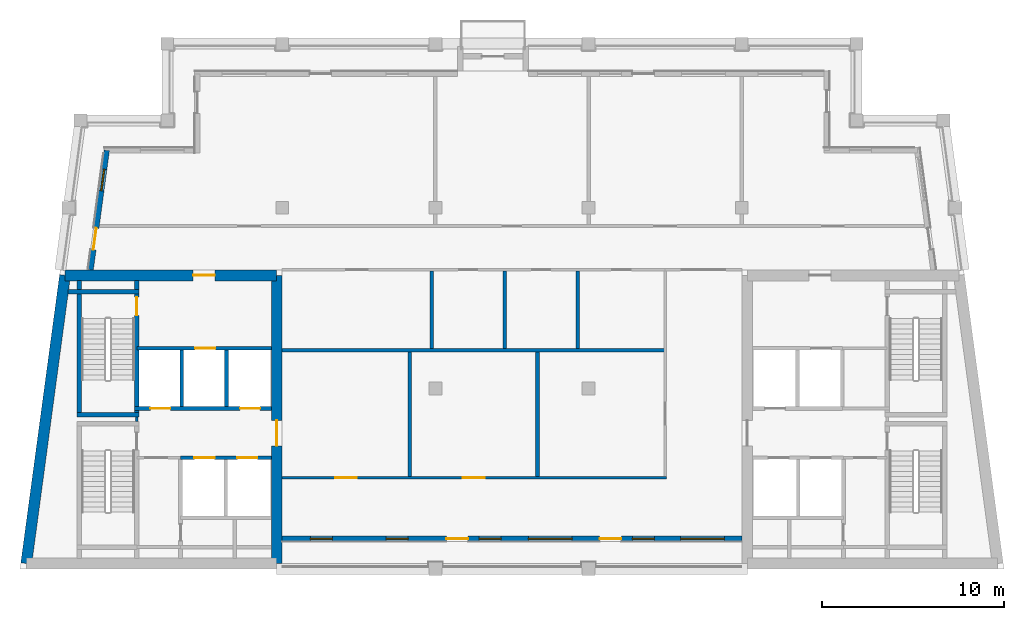
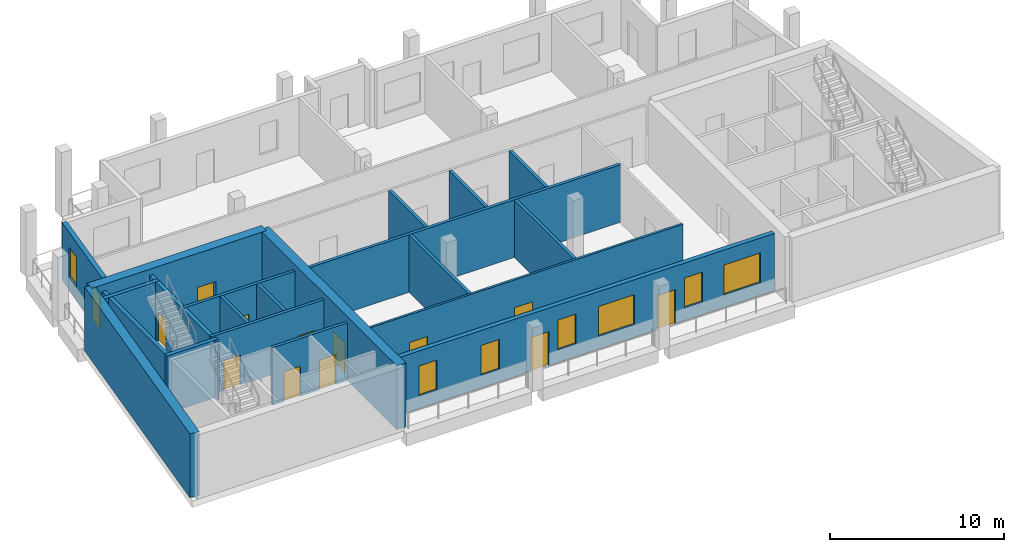
# One storey, part 2 of 8: 22 walls, 13 doors, 7 windows, 20 openings.
"""IFC4 building model written with IfcOpenShell, lengths in metres."""

from ifc_helpers import new_model, si_unit, direction, frame, frame_2d, origin, place, context, subcontext, project, spatial, rectangle, extrude, material, layer, layer_set, type_object, element, fill, save


model = new_model("IFC4")

# Units and contexts
model_context = context("Model", 3, precision=1e-05, world=origin(), true_north=direction((0.0, 1.0)))
body_context = subcontext(model_context, "Body", "Model", "MODEL_VIEW")
ifc_project = project(units=[si_unit("LENGTHUNIT", "METRE"), si_unit("AREAUNIT", "SQUARE_METRE"), si_unit("VOLUMEUNIT", "CUBIC_METRE"), si_unit("PLANEANGLEUNIT", "RADIAN"), si_unit("MASSUNIT", "GRAM", prefix="KILO")], contexts=[model_context])

# Site, building, storey
site_placement = place(None, origin())
site = spatial("IfcSite", under=ifc_project, at=site_placement, CompositionType="ELEMENT")
building_placement = place(site_placement, origin())
building = spatial("IfcBuilding", under=site, at=building_placement, Name="Candeia Pilgrim Tower and Theatre", CompositionType="ELEMENT")
storey_placement = place(building_placement, frame((0.0, 0.0, 315.39990234375)))
storey = spatial("IfcBuildingStorey", under=building, at=storey_placement, Name="L76", CompositionType="ELEMENT", Elevation=315.39990234375)

# Wall, opening, door
ifc_material_1 = material(Name="Concrete C40/50", Category="concrete")
ifc_layer_1 = layer(ifc_material_1, 0.60009765625)
ifc_layer_set_1 = layer_set([ifc_layer_1], Name="Core wall 600 C40/50")
wall_type_1 = type_object("IfcWallType", Name="Core wall 600 C40/50", PredefinedType="SHEAR", material=ifc_layer_set_1)
wall_1_placement = place(storey_placement, frame((88.89306640625, 132.10009765625, 0.0), z_axis=(0.0, 0.0, 1.0), x_axis=(1.0, 0.0, 0.0)))
wall_1 = element("IfcWall", 1, at=wall_1_placement, inside=storey, type_object=wall_type_1, Name="Core wall W1", PredefinedType="SHEAR", context=body_context, shape_type="SweptSolid", body=[
    extrude(rectangle(XDim=11.60693359375, YDim=0.60009765625, at=frame_2d((5.803466796875, 0.0))), origin(), (0.0, 0.0, 1.0), 4.5),
])
opening_1_placement = place(wall_1_placement, frame((7.0205078125, 0.0, 0.0)))
opening_1 = element("IfcOpeningElement", 2, at=opening_1_placement, cuts=wall_1, Name="Opening L76-D021", PredefinedType="OPENING", context=body_context, shape_type="SweptSolid", body=[
    extrude(rectangle(XDim=1.199951171875, YDim=2.10009765625, at=frame_2d((0.60009765625, 1.050048828125))), frame((0.0, 0.31005859375, 0.0), z_axis=(0.0, -1.0, 0.0), x_axis=(1.0, 0.0, 0.0)), (0.0, 0.0, 1.0), 0.6201171875),
])
ifc_material_2 = material(Name="Steel fire door set", Category="steel")
door_type_1 = type_object("IfcDoorType", Name="D-1200-FD60", OperationType="NOTDEFINED", PredefinedType="DOOR", material=ifc_material_2)
door_1_placement = place(opening_1_placement, origin())
door_1 = element("IfcDoor", 3, at=door_1_placement, inside=storey, type_object=door_type_1, Name="Door L76-D021", OperationType="SINGLE_SWING_RIGHT", OverallHeight=2.10009765625, OverallWidth=1.199951171875, PredefinedType="DOOR", context=body_context, shape_type="SweptSolid", body=[
    extrude(rectangle(XDim=1.199951171875, YDim=2.10009765625, at=frame_2d((0.60009765625, 1.050048828125))), frame((0.0, 0.02490234375, 0.0), z_axis=(0.0, -1.0, 0.0), x_axis=(1.0, 0.0, 0.0)), (0.0, 0.0, 1.0), 0.050048828125),
])
fill(opening_1, door_1)

wall_2_placement = place(storey_placement, frame((100.5, 132.10009765625, 0.0), z_axis=(0.0, 0.0, 1.0), x_axis=(0.0, -1.0, 0.0)))
wall_2 = element("IfcWall", 4, at=wall_2_placement, inside=storey, type_object=wall_type_1, Name="Core wall W2", PredefinedType="SHEAR", context=body_context, shape_type="SweptSolid", body=[
    extrude(rectangle(XDim=15.800048828125, YDim=0.60009765625, at=frame_2d((7.89990234375, 0.0))), origin(), (0.0, 0.0, 1.0), 4.5),
])
opening_2_placement = place(wall_2_placement, frame((7.949951171875, 0.0, 0.0)))
opening_2 = element("IfcOpeningElement", 5, at=opening_2_placement, cuts=wall_2, Name="Opening L76-D022", PredefinedType="OPENING", context=body_context, shape_type="SweptSolid", body=[
    extrude(rectangle(XDim=1.39990234375, YDim=2.10009765625, at=frame_2d((0.699951171875, 1.050048828125))), frame((0.0, 0.31005859375, 0.0), z_axis=(0.0, -1.0, 0.0), x_axis=(1.0, 0.0, 0.0)), (0.0, 0.0, 1.0), 0.6201171875),
])
door_type_2 = type_object("IfcDoorType", Name="D-1400-FD60", OperationType="NOTDEFINED", PredefinedType="DOOR", material=ifc_material_2)
door_2_placement = place(opening_2_placement, origin())
door_2 = element("IfcDoor", 6, at=door_2_placement, inside=storey, type_object=door_type_2, Name="Door L76-D022", OperationType="SINGLE_SWING_LEFT", OverallHeight=2.10009765625, OverallWidth=1.39990234375, PredefinedType="DOOR", context=body_context, shape_type="SweptSolid", body=[
    extrude(rectangle(XDim=1.39990234375, YDim=2.10009765625, at=frame_2d((0.699951171875, 1.050048828125))), frame((0.0, 0.02490234375, 0.0), z_axis=(0.0, -1.0, 0.0), x_axis=(1.0, 0.0, 0.0)), (0.0, 0.0, 1.0), 0.050048828125),
])
fill(opening_2, door_2)

# Wall
wall_3_placement = place(storey_placement, frame((86.76611328125, 116.300048828125, 0.0), z_axis=(0.0, 0.0, 1.0), x_axis=(0.13341345841, 0.991060466932, 0.0)))
element("IfcWall", 7, at=wall_3_placement, inside=storey, type_object=wall_type_1, Name="Core wall W4", PredefinedType="SHEAR", context=body_context, shape_type="SweptSolid", body=[
    extrude(rectangle(XDim=15.942626953125, YDim=0.60009765625, at=frame_2d((7.97119140625, 0.0))), origin(), (0.0, 0.0, 1.0), 4.5),
])

# Wall, openings, door, window
ifc_material_3 = material(Name="Ceramic block masonry", Category="masonry")
ifc_layer_2 = layer(ifc_material_3, 0.300048828125)
ifc_layer_set_2 = layer_set([ifc_layer_2], Name="EW1 glazing-line wall 300")
wall_type_2 = type_object("IfcWallType", Name="EW1 glazing-line wall 300", PredefinedType="SOLIDWALL", material=ifc_layer_set_2)
wall_4_placement = place(storey_placement, frame((91.177490234375, 138.949951171875, 0.0), z_axis=(0.0, 0.0, 1.0), x_axis=(-0.133426664613, -0.991058689065, 0.0)))
wall_4 = element("IfcWall", 8, at=wall_4_placement, inside=storey, type_object=wall_type_2, Name="External wall L76-0.0", PredefinedType="SOLIDWALL", context=body_context, shape_type="SweptSolid", body=[
    extrude(rectangle(XDim=6.609130859375, YDim=0.300048828125, at=frame_2d((3.3046875, 0.0))), origin(), (0.0, 0.0, 1.0), 4.050048828125),
])
opening_3_placement = place(wall_4_placement, frame((1.039306640625, 0.0, 0.89990234375)))
opening_3 = element("IfcOpeningElement", 9, at=opening_3_placement, cuts=wall_4, Name="Opening W-B", PredefinedType="OPENING", context=body_context, shape_type="SweptSolid", body=[
    extrude(rectangle(XDim=1.199951171875, YDim=2.10009765625, at=frame_2d((0.60009765625, 1.050048828125))), frame((0.0, 0.16015625, 0.0), z_axis=(0.0, -1.0, 0.0), x_axis=(1.0, 0.0, 0.0)), (0.0, 0.0, 1.0), 0.320068359375),
])
opening_4_placement = place(wall_4_placement, frame((4.293701171875, 0.0, 0.0)))
opening_4 = element("IfcOpeningElement", 10, at=opening_4_placement, cuts=wall_4, Name="Opening L76-ED693", PredefinedType="OPENING", context=body_context, shape_type="SweptSolid", body=[
    extrude(rectangle(XDim=1.199951171875, YDim=2.39990234375, at=frame_2d((0.60009765625, 1.199951171875))), frame((0.0, 0.16015625, 0.0), z_axis=(0.0, -1.0, 0.0), x_axis=(1.0, 0.0, 0.0)), (0.0, 0.0, 1.0), 0.320068359375),
])
ifc_material_4 = material(Name="Aluminium framed glazed door", Category="aluminium")
door_type_3 = type_object("IfcDoorType", Name="Loggia door 1200x2400", OperationType="DOUBLE_DOOR_SINGLE_SWING", PredefinedType="DOOR", material=ifc_material_4)
door_3_placement = place(opening_4_placement, origin())
door_3 = element("IfcDoor", 11, at=door_3_placement, inside=storey, type_object=door_type_3, Name="Loggia door L76-ED693", OperationType="DOUBLE_DOOR_SINGLE_SWING", OverallHeight=2.39990234375, OverallWidth=1.199951171875, PredefinedType="DOOR", context=body_context, shape_type="SweptSolid", body=[
    extrude(rectangle(XDim=1.199951171875, YDim=2.39990234375, at=frame_2d((0.60009765625, 1.199951171875))), frame((0.0, 0.02490234375, 0.0), z_axis=(0.0, -1.0, 0.0), x_axis=(1.0, 0.0, 0.0)), (0.0, 0.0, 1.0), 0.050048828125),
])
fill(opening_4, door_3)
ifc_material_5 = material(Name="Aluminium framed double glazing", Category="aluminium")
window_type_1 = type_object("IfcWindowType", Name="W-B window 1200x2100", PartitioningType="SINGLE_PANEL", PredefinedType="WINDOW", material=ifc_material_5)
window_1_placement = place(opening_3_placement, origin())
window_1 = element("IfcWindow", 12, at=window_1_placement, inside=storey, type_object=window_type_1, Name="Window W-B L76", OverallHeight=2.10009765625, OverallWidth=1.199951171875, PartitioningType="SINGLE_PANEL", PredefinedType="WINDOW", context=body_context, shape_type="SweptSolid", body=[
    extrude(rectangle(XDim=1.199951171875, YDim=2.10009765625, at=frame_2d((0.60009765625, 1.050048828125))), frame((0.0, 0.030029296875, 0.0), z_axis=(0.0, -1.0, 0.0), x_axis=(1.0, 0.0, 0.0)), (0.0, 0.0, 1.0), 0.06005859375),
])
fill(opening_3, window_1)

# Wall, openings, doors, windows
wall_5_placement = place(storey_placement, frame((100.800048828125, 117.64990234375, 0.0), z_axis=(0.0, 0.0, 1.0), x_axis=(1.0, 0.0, 0.0)))
wall_5 = element("IfcWall", 13, at=wall_5_placement, inside=storey, type_object=wall_type_2, Name="External wall L76-1.0", PredefinedType="SOLIDWALL", context=body_context, shape_type="SweptSolid", body=[
    extrude(rectangle(XDim=25.199951171875, YDim=0.300048828125, at=frame_2d((12.60009765625, 0.0))), origin(), (0.0, 0.0, 1.0), 4.050048828125),
])
opening_5_placement = place(wall_5_placement, frame((1.550048828125, 0.0, 0.89990234375)))
opening_5 = element("IfcOpeningElement", 14, at=opening_5_placement, cuts=wall_5, Name="Opening W-B", PredefinedType="OPENING", context=body_context, shape_type="SweptSolid", body=[
    extrude(rectangle(XDim=1.199951171875, YDim=2.10009765625, at=frame_2d((0.60009765625, 1.050048828125))), frame((0.0, 0.16015625, 0.0), z_axis=(0.0, -1.0, 0.0), x_axis=(1.0, 0.0, 0.0)), (0.0, 0.0, 1.0), 0.320068359375),
])
opening_6_placement = place(wall_5_placement, frame((5.699951171875, 0.0, 0.89990234375)))
opening_6 = element("IfcOpeningElement", 15, at=opening_6_placement, cuts=wall_5, Name="Opening W-B", PredefinedType="OPENING", context=body_context, shape_type="SweptSolid", body=[
    extrude(rectangle(XDim=1.199951171875, YDim=2.10009765625, at=frame_2d((0.60009765625, 1.050048828125))), frame((0.0, 0.16015625, 0.0), z_axis=(0.0, -1.0, 0.0), x_axis=(1.0, 0.0, 0.0)), (0.0, 0.0, 1.0), 0.320068359375),
])
opening_7_placement = place(wall_5_placement, frame((9.0, 0.0, 0.0)))
opening_7 = element("IfcOpeningElement", 16, at=opening_7_placement, cuts=wall_5, Name="Opening L76-ED694", PredefinedType="OPENING", context=body_context, shape_type="SweptSolid", body=[
    extrude(rectangle(XDim=1.199951171875, YDim=2.39990234375, at=frame_2d((0.60009765625, 1.199951171875))), frame((0.0, 0.16015625, 0.0), z_axis=(0.0, -1.0, 0.0), x_axis=(1.0, 0.0, 0.0)), (0.0, 0.0, 1.0), 0.320068359375),
])
opening_8_placement = place(wall_5_placement, frame((10.800048828125, 0.0, 0.89990234375)))
opening_8 = element("IfcOpeningElement", 17, at=opening_8_placement, cuts=wall_5, Name="Opening W-B", PredefinedType="OPENING", context=body_context, shape_type="SweptSolid", body=[
    extrude(rectangle(XDim=1.199951171875, YDim=2.10009765625, at=frame_2d((0.60009765625, 1.050048828125))), frame((0.0, 0.16015625, 0.0), z_axis=(0.0, -1.0, 0.0), x_axis=(1.0, 0.0, 0.0)), (0.0, 0.0, 1.0), 0.320068359375),
])
opening_9_placement = place(wall_5_placement, frame((13.5, 0.0, 0.89990234375)))
opening_9 = element("IfcOpeningElement", 18, at=opening_9_placement, cuts=wall_5, Name="Opening W-A", PredefinedType="OPENING", context=body_context, shape_type="SweptSolid", body=[
    extrude(rectangle(XDim=2.39990234375, YDim=2.10009765625, at=frame_2d((1.199951171875, 1.050048828125))), frame((0.0, 0.16015625, 0.0), z_axis=(0.0, -1.0, 0.0), x_axis=(1.0, 0.0, 0.0)), (0.0, 0.0, 1.0), 0.320068359375),
])
opening_10_placement = place(wall_5_placement, frame((17.39990234375, 0.0, 0.0)))
opening_10 = element("IfcOpeningElement", 19, at=opening_10_placement, cuts=wall_5, Name="Opening L76-ED695", PredefinedType="OPENING", context=body_context, shape_type="SweptSolid", body=[
    extrude(rectangle(XDim=1.199951171875, YDim=2.39990234375, at=frame_2d((0.60009765625, 1.199951171875))), frame((0.0, 0.16015625, 0.0), z_axis=(0.0, -1.0, 0.0), x_axis=(1.0, 0.0, 0.0)), (0.0, 0.0, 1.0), 0.320068359375),
])
opening_11_placement = place(wall_5_placement, frame((19.199951171875, 0.0, 0.89990234375)))
opening_11 = element("IfcOpeningElement", 20, at=opening_11_placement, cuts=wall_5, Name="Opening W-B", PredefinedType="OPENING", context=body_context, shape_type="SweptSolid", body=[
    extrude(rectangle(XDim=1.199951171875, YDim=2.10009765625, at=frame_2d((0.60009765625, 1.050048828125))), frame((0.0, 0.16015625, 0.0), z_axis=(0.0, -1.0, 0.0), x_axis=(1.0, 0.0, 0.0)), (0.0, 0.0, 1.0), 0.320068359375),
])
opening_12_placement = place(wall_5_placement, frame((21.85009765625, 0.0, 0.89990234375)))
opening_12 = element("IfcOpeningElement", 21, at=opening_12_placement, cuts=wall_5, Name="Opening W-A", PredefinedType="OPENING", context=body_context, shape_type="SweptSolid", body=[
    extrude(rectangle(XDim=2.39990234375, YDim=2.10009765625, at=frame_2d((1.199951171875, 1.050048828125))), frame((0.0, 0.16015625, 0.0), z_axis=(0.0, -1.0, 0.0), x_axis=(1.0, 0.0, 0.0)), (0.0, 0.0, 1.0), 0.320068359375),
])
door_4_placement = place(opening_7_placement, origin())
door_4 = element("IfcDoor", 22, at=door_4_placement, inside=storey, type_object=door_type_3, Name="Loggia door L76-ED694", OperationType="DOUBLE_DOOR_SINGLE_SWING", OverallHeight=2.39990234375, OverallWidth=1.199951171875, PredefinedType="DOOR", context=body_context, shape_type="SweptSolid", body=[
    extrude(rectangle(XDim=1.199951171875, YDim=2.39990234375, at=frame_2d((0.60009765625, 1.199951171875))), frame((0.0, 0.02490234375, 0.0), z_axis=(0.0, -1.0, 0.0), x_axis=(1.0, 0.0, 0.0)), (0.0, 0.0, 1.0), 0.050048828125),
])
fill(opening_7, door_4)
door_5_placement = place(opening_10_placement, origin())
door_5 = element("IfcDoor", 23, at=door_5_placement, inside=storey, type_object=door_type_3, Name="Loggia door L76-ED695", OperationType="DOUBLE_DOOR_SINGLE_SWING", OverallHeight=2.39990234375, OverallWidth=1.199951171875, PredefinedType="DOOR", context=body_context, shape_type="SweptSolid", body=[
    extrude(rectangle(XDim=1.199951171875, YDim=2.39990234375, at=frame_2d((0.60009765625, 1.199951171875))), frame((0.0, 0.02490234375, 0.0), z_axis=(0.0, -1.0, 0.0), x_axis=(1.0, 0.0, 0.0)), (0.0, 0.0, 1.0), 0.050048828125),
])
fill(opening_10, door_5)
window_type_2 = type_object("IfcWindowType", Name="W-A window 2400x2100", PartitioningType="DOUBLE_PANEL_VERTICAL", PredefinedType="WINDOW", material=ifc_material_5)
window_2_placement = place(opening_9_placement, origin())
window_2 = element("IfcWindow", 24, at=window_2_placement, inside=storey, type_object=window_type_2, Name="Window W-A L76", OverallHeight=2.10009765625, OverallWidth=2.39990234375, PartitioningType="SINGLE_PANEL", PredefinedType="WINDOW", context=body_context, shape_type="SweptSolid", body=[
    extrude(rectangle(XDim=2.39990234375, YDim=2.10009765625, at=frame_2d((1.199951171875, 1.050048828125))), frame((0.0, 0.030029296875, 0.0), z_axis=(0.0, -1.0, 0.0), x_axis=(1.0, 0.0, 0.0)), (0.0, 0.0, 1.0), 0.06005859375),
])
fill(opening_9, window_2)
window_3_placement = place(opening_12_placement, origin())
window_3 = element("IfcWindow", 25, at=window_3_placement, inside=storey, type_object=window_type_2, Name="Window W-A L76", OverallHeight=2.10009765625, OverallWidth=2.39990234375, PartitioningType="SINGLE_PANEL", PredefinedType="WINDOW", context=body_context, shape_type="SweptSolid", body=[
    extrude(rectangle(XDim=2.39990234375, YDim=2.10009765625, at=frame_2d((1.199951171875, 1.050048828125))), frame((0.0, 0.030029296875, 0.0), z_axis=(0.0, -1.0, 0.0), x_axis=(1.0, 0.0, 0.0)), (0.0, 0.0, 1.0), 0.06005859375),
])
fill(opening_12, window_3)
window_4_placement = place(opening_5_placement, origin())
window_4 = element("IfcWindow", 26, at=window_4_placement, inside=storey, type_object=window_type_1, Name="Window W-B L76", OverallHeight=2.10009765625, OverallWidth=1.199951171875, PartitioningType="SINGLE_PANEL", PredefinedType="WINDOW", context=body_context, shape_type="SweptSolid", body=[
    extrude(rectangle(XDim=1.199951171875, YDim=2.10009765625, at=frame_2d((0.60009765625, 1.050048828125))), frame((0.0, 0.030029296875, 0.0), z_axis=(0.0, -1.0, 0.0), x_axis=(1.0, 0.0, 0.0)), (0.0, 0.0, 1.0), 0.06005859375),
])
fill(opening_5, window_4)
window_5_placement = place(opening_6_placement, origin())
window_5 = element("IfcWindow", 27, at=window_5_placement, inside=storey, type_object=window_type_1, Name="Window W-B L76", OverallHeight=2.10009765625, OverallWidth=1.199951171875, PartitioningType="SINGLE_PANEL", PredefinedType="WINDOW", context=body_context, shape_type="SweptSolid", body=[
    extrude(rectangle(XDim=1.199951171875, YDim=2.10009765625, at=frame_2d((0.60009765625, 1.050048828125))), frame((0.0, 0.030029296875, 0.0), z_axis=(0.0, -1.0, 0.0), x_axis=(1.0, 0.0, 0.0)), (0.0, 0.0, 1.0), 0.06005859375),
])
fill(opening_6, window_5)
window_6_placement = place(opening_8_placement, origin())
window_6 = element("IfcWindow", 28, at=window_6_placement, inside=storey, type_object=window_type_1, Name="Window W-B L76", OverallHeight=2.10009765625, OverallWidth=1.199951171875, PartitioningType="SINGLE_PANEL", PredefinedType="WINDOW", context=body_context, shape_type="SweptSolid", body=[
    extrude(rectangle(XDim=1.199951171875, YDim=2.10009765625, at=frame_2d((0.60009765625, 1.050048828125))), frame((0.0, 0.030029296875, 0.0), z_axis=(0.0, -1.0, 0.0), x_axis=(1.0, 0.0, 0.0)), (0.0, 0.0, 1.0), 0.06005859375),
])
fill(opening_8, window_6)
window_7_placement = place(opening_11_placement, origin())
window_7 = element("IfcWindow", 29, at=window_7_placement, inside=storey, type_object=window_type_1, Name="Window W-B L76", OverallHeight=2.10009765625, OverallWidth=1.199951171875, PartitioningType="SINGLE_PANEL", PredefinedType="WINDOW", context=body_context, shape_type="SweptSolid", body=[
    extrude(rectangle(XDim=1.199951171875, YDim=2.10009765625, at=frame_2d((0.60009765625, 1.050048828125))), frame((0.0, 0.030029296875, 0.0), z_axis=(0.0, -1.0, 0.0), x_axis=(1.0, 0.0, 0.0)), (0.0, 0.0, 1.0), 0.06005859375),
])
fill(opening_11, window_7)

# Wall, openings, doors
ifc_material_6 = material(Name="Gypsum board partition on steel studs", Category="steel")
ifc_layer_3 = layer(ifc_material_6, 0.14990234375)
ifc_layer_set_3 = layer_set([ifc_layer_3], Name="PW-150 lobby wall")
wall_type_3 = type_object("IfcWallType", Name="PW-150 lobby wall", PredefinedType="PARTITIONING", material=ifc_layer_set_3)
wall_6_placement = place(storey_placement, frame((100.800048828125, 121.0, 0.0), z_axis=(0.0, 0.0, 1.0), x_axis=(1.0, 0.0, 0.0)))
wall_6 = element("IfcWall", 30, at=wall_6_placement, inside=storey, type_object=wall_type_3, Name="Lobby wall L76-009", PredefinedType="PARTITIONING", context=body_context, shape_type="SweptSolid", body=[
    extrude(rectangle(XDim=21.074951171875, YDim=0.14990234375, at=frame_2d((10.53759765625, 0.0))), origin(), (0.0, 0.0, 1.0), 4.050048828125),
])
opening_13_placement = place(wall_6_placement, frame((2.89990234375, 0.0, 0.0)))
opening_13 = element("IfcOpeningElement", 31, at=opening_13_placement, cuts=wall_6, Name="Opening L76-D002", PredefinedType="OPENING", context=body_context, shape_type="SweptSolid", body=[
    extrude(rectangle(XDim=1.199951171875, YDim=2.10009765625, at=frame_2d((0.60009765625, 1.050048828125))), frame((0.0, 0.0849609375, 0.0), z_axis=(0.0, -1.0, 0.0), x_axis=(1.0, 0.0, 0.0)), (0.0, 0.0, 1.0), 0.169921875),
])
opening_14_placement = place(wall_6_placement, frame((9.89990234375, 0.0, 0.0)))
opening_14 = element("IfcOpeningElement", 32, at=opening_14_placement, cuts=wall_6, Name="Opening L76-D003", PredefinedType="OPENING", context=body_context, shape_type="SweptSolid", body=[
    extrude(rectangle(XDim=1.199951171875, YDim=2.10009765625, at=frame_2d((0.60009765625, 1.050048828125))), frame((0.0, 0.0849609375, 0.0), z_axis=(0.0, -1.0, 0.0), x_axis=(1.0, 0.0, 0.0)), (0.0, 0.0, 1.0), 0.169921875),
])
door_6_placement = place(opening_13_placement, origin())
door_6 = element("IfcDoor", 33, at=door_6_placement, inside=storey, type_object=door_type_1, Name="Door L76-D002", OperationType="SINGLE_SWING_RIGHT", OverallHeight=2.10009765625, OverallWidth=1.199951171875, PredefinedType="DOOR", context=body_context, shape_type="SweptSolid", body=[
    extrude(rectangle(XDim=1.199951171875, YDim=2.10009765625, at=frame_2d((0.60009765625, 1.050048828125))), frame((0.0, 0.02490234375, 0.0), z_axis=(0.0, -1.0, 0.0), x_axis=(1.0, 0.0, 0.0)), (0.0, 0.0, 1.0), 0.050048828125),
])
fill(opening_13, door_6)
door_7_placement = place(opening_14_placement, origin())
door_7 = element("IfcDoor", 34, at=door_7_placement, inside=storey, type_object=door_type_1, Name="Door L76-D003", OperationType="SINGLE_SWING_LEFT", OverallHeight=2.10009765625, OverallWidth=1.199951171875, PredefinedType="DOOR", context=body_context, shape_type="SweptSolid", body=[
    extrude(rectangle(XDim=1.199951171875, YDim=2.10009765625, at=frame_2d((0.60009765625, 1.050048828125))), frame((0.0, 0.02490234375, 0.0), z_axis=(0.0, -1.0, 0.0), x_axis=(1.0, 0.0, 0.0)), (0.0, 0.0, 1.0), 0.050048828125),
])
fill(opening_14, door_7)

# Walls
wall_7_placement = place(storey_placement, frame((92.826904296875, 124.074951171875, 0.0), z_axis=(0.0, 0.0, 1.0), x_axis=(0.0, 1.0, 0.0)))
element("IfcWall", 35, at=wall_7_placement, inside=storey, type_object=wall_type_3, Name="Lobby wall L76-032", PredefinedType="PARTITIONING", context=body_context, shape_type="SweptSolid", body=[
    extrude(rectangle(XDim=0.25, YDim=0.14990234375, at=frame_2d((0.125, 0.0))), origin(), (0.0, 0.0, 1.0), 4.050048828125),
])
ifc_layer_4 = layer(ifc_material_6, 0.199951171875)
ifc_layer_set_4 = layer_set([ifc_layer_4], Name="PW-200 party wall")
wall_type_4 = type_object("IfcWallType", Name="PW-200 party wall", PredefinedType="PARTITIONING", material=ifc_layer_set_4)
wall_8_placement = place(storey_placement, frame((100.800048828125, 128.0, 0.0), z_axis=(0.0, 0.0, 1.0), x_axis=(1.0, 0.0, 0.0)))
element("IfcWall", 36, at=wall_8_placement, inside=storey, type_object=wall_type_4, Name="Party wall L76-021", PredefinedType="PARTITIONING", context=body_context, shape_type="SweptSolid", body=[
    extrude(rectangle(XDim=21.0, YDim=0.199951171875, at=frame_2d((10.5, 0.0))), origin(), (0.0, 0.0, 1.0), 4.050048828125),
])
wall_9_placement = place(storey_placement, frame((107.800048828125, 121.074951171875, 0.0), z_axis=(0.0, 0.0, 1.0), x_axis=(0.0, 1.0, 0.0)))
element("IfcWall", 37, at=wall_9_placement, inside=storey, type_object=wall_type_4, Name="Party wall L76-040", PredefinedType="PARTITIONING", context=body_context, shape_type="SweptSolid", body=[
    extrude(rectangle(XDim=6.824951171875, YDim=0.199951171875, at=frame_2d((3.41259765625, 0.0))), origin(), (0.0, 0.0, 1.0), 4.050048828125),
])
for number, where, z_axis, x_axis, name in (
    (38, (109.0, 128.10009765625, 0.0), (0.0, 0.0, 1.0), (0.0, 1.0, 0.0), "Party wall L76-041"),
    (39, (113.0, 128.10009765625, 0.0), (0.0, 0.0, 1.0), (0.0, 1.0, 0.0), "Party wall L76-043"),
):
    element("IfcWall", number, at=place(storey_placement, frame(where, z_axis=z_axis, x_axis=x_axis)), inside=storey, type_object=wall_type_4, Name=name, PredefinedType="PARTITIONING", context=body_context, shape_type="SweptSolid", body=[
        extrude(rectangle(XDim=4.224853515625, YDim=0.199951171875, at=frame_2d((2.1123046875, 0.0))), origin(), (0.0, 0.0, 1.0), 4.050048828125),
    ])
wall_10_placement = place(storey_placement, frame((114.800048828125, 121.074951171875, 0.0), z_axis=(0.0, 0.0, 1.0), x_axis=(0.0, 1.0, 0.0)))
element("IfcWall", 40, at=wall_10_placement, inside=storey, type_object=wall_type_4, Name="Party wall L76-044", PredefinedType="PARTITIONING", context=body_context, shape_type="SweptSolid", body=[
    extrude(rectangle(XDim=6.824951171875, YDim=0.199951171875, at=frame_2d((3.41259765625, 0.0))), origin(), (0.0, 0.0, 1.0), 4.050048828125),
])
wall_11_placement = place(storey_placement, frame((117.0, 128.10009765625, 0.0), z_axis=(0.0, 0.0, 1.0), x_axis=(0.0, 1.0, 0.0)))
element("IfcWall", 41, at=wall_11_placement, inside=storey, type_object=wall_type_4, Name="Party wall L76-045", PredefinedType="PARTITIONING", context=body_context, shape_type="SweptSolid", body=[
    extrude(rectangle(XDim=4.224853515625, YDim=0.199951171875, at=frame_2d((2.1123046875, 0.0))), origin(), (0.0, 0.0, 1.0), 4.050048828125),
])

# Wall, openings, doors
ifc_layer_5 = layer(ifc_material_1, 0.199951171875)
ifc_layer_set_5 = layer_set([ifc_layer_5], Name="SW-200 shaft wall")
wall_type_5 = type_object("IfcWallType", Name="SW-200 shaft wall", PredefinedType="PARTITIONING", material=ifc_layer_set_5)
wall_12_placement = place(storey_placement, frame((95.22705078125, 122.10009765625, 0.0), z_axis=(0.0, 0.0, 1.0), x_axis=(1.0, 0.0, 0.0)))
wall_12 = element("IfcWall", 42, at=wall_12_placement, inside=storey, type_object=wall_type_5, Name="Shaft wall L76-010", PredefinedType="PARTITIONING", context=body_context, shape_type="SweptSolid", body=[
    extrude(rectangle(XDim=4.972900390625, YDim=0.199951171875, at=frame_2d((2.486328125, 0.0))), origin(), (0.0, 0.0, 1.0), 4.050048828125),
])
opening_15_placement = place(wall_12_placement, frame((0.761962890625, 0.0, 0.0)))
opening_15 = element("IfcOpeningElement", 43, at=opening_15_placement, cuts=wall_12, Name="Opening L76-LD01", PredefinedType="OPENING", context=body_context, shape_type="SweptSolid", body=[
    extrude(rectangle(XDim=1.10009765625, YDim=2.10009765625, at=frame_2d((0.550048828125, 1.050048828125))), frame((0.0, 0.10986328125, 0.0), z_axis=(0.0, -1.0, 0.0), x_axis=(1.0, 0.0, 0.0)), (0.0, 0.0, 1.0), 0.219970703125),
])
opening_16_placement = place(wall_12_placement, frame((3.111083984375, 0.0, 0.0)))
opening_16 = element("IfcOpeningElement", 44, at=opening_16_placement, cuts=wall_12, Name="Opening L76-LD02", PredefinedType="OPENING", context=body_context, shape_type="SweptSolid", body=[
    extrude(rectangle(XDim=1.10009765625, YDim=2.10009765625, at=frame_2d((0.550048828125, 1.050048828125))), frame((0.0, 0.10986328125, 0.0), z_axis=(0.0, -1.0, 0.0), x_axis=(1.0, 0.0, 0.0)), (0.0, 0.0, 1.0), 0.219970703125),
])
ifc_material_7 = material(Name="Glazed aluminium landing door", Category="aluminium")
door_type_4 = type_object("IfcDoorType", Name="LD-1100-EI120", OperationType="SLIDING_TO_LEFT", PredefinedType="DOOR", material=ifc_material_7)
door_8_placement = place(opening_15_placement, origin())
door_8 = element("IfcDoor", 45, at=door_8_placement, inside=storey, type_object=door_type_4, Name="Landing door 01 L76", OperationType="SLIDING_TO_LEFT", OverallHeight=2.10009765625, OverallWidth=1.10009765625, PredefinedType="DOOR", context=body_context, shape_type="SweptSolid", body=[
    extrude(rectangle(XDim=1.10009765625, YDim=2.10009765625, at=frame_2d((0.550048828125, 1.050048828125))), frame((0.0, 0.02490234375, 0.0), z_axis=(0.0, -1.0, 0.0), x_axis=(1.0, 0.0, 0.0)), (0.0, 0.0, 1.0), 0.050048828125),
])
fill(opening_15, door_8)
door_9_placement = place(opening_16_placement, origin())
door_9 = element("IfcDoor", 46, at=door_9_placement, inside=storey, type_object=door_type_4, Name="Landing door 02 L76", OperationType="SLIDING_TO_LEFT", OverallHeight=2.10009765625, OverallWidth=1.10009765625, PredefinedType="DOOR", context=body_context, shape_type="SweptSolid", body=[
    extrude(rectangle(XDim=1.10009765625, YDim=2.10009765625, at=frame_2d((0.550048828125, 1.050048828125))), frame((0.0, 0.02490234375, 0.0), z_axis=(0.0, -1.0, 0.0), x_axis=(1.0, 0.0, 0.0)), (0.0, 0.0, 1.0), 0.050048828125),
])
fill(opening_16, door_9)

wall_13_placement = place(storey_placement, frame((92.701904296875, 124.800048828125, 0.0), z_axis=(0.0, 0.0, 1.0), x_axis=(1.0, 0.0, 0.0)))
wall_13 = element("IfcWall", 47, at=wall_13_placement, inside=storey, type_object=wall_type_5, Name="Shaft wall L76-018", PredefinedType="PARTITIONING", context=body_context, shape_type="SweptSolid", body=[
    extrude(rectangle(XDim=7.498046875, YDim=0.199951171875, at=frame_2d((3.7490234375, 0.0))), origin(), (0.0, 0.0, 1.0), 4.050048828125),
])
opening_17_placement = place(wall_13_placement, frame((0.8701171875, 0.0, 0.0)))
opening_17 = element("IfcOpeningElement", 48, at=opening_17_placement, cuts=wall_13, Name="Opening L76-LD03", PredefinedType="OPENING", context=body_context, shape_type="SweptSolid", body=[
    extrude(rectangle(XDim=1.10009765625, YDim=2.10009765625, at=frame_2d((0.550048828125, 1.050048828125))), frame((0.0, 0.10986328125, 0.0), z_axis=(0.0, -1.0, 0.0), x_axis=(1.0, 0.0, 0.0)), (0.0, 0.0, 1.0), 0.219970703125),
])
opening_18_placement = place(wall_13_placement, frame((5.784912109375, 0.0, 0.0)))
opening_18 = element("IfcOpeningElement", 49, at=opening_18_placement, cuts=wall_13, Name="Opening L76-LD05", PredefinedType="OPENING", context=body_context, shape_type="SweptSolid", body=[
    extrude(rectangle(XDim=1.10009765625, YDim=2.10009765625, at=frame_2d((0.550048828125, 1.050048828125))), frame((0.0, 0.10986328125, 0.0), z_axis=(0.0, -1.0, 0.0), x_axis=(1.0, 0.0, 0.0)), (0.0, 0.0, 1.0), 0.219970703125),
])
door_10_placement = place(opening_17_placement, origin())
door_10 = element("IfcDoor", 50, at=door_10_placement, inside=storey, type_object=door_type_4, Name="Landing door 03 L76", OperationType="SLIDING_TO_LEFT", OverallHeight=2.10009765625, OverallWidth=1.10009765625, PredefinedType="DOOR", context=body_context, shape_type="SweptSolid", body=[
    extrude(rectangle(XDim=1.10009765625, YDim=2.10009765625, at=frame_2d((0.550048828125, 1.050048828125))), frame((0.0, 0.02490234375, 0.0), z_axis=(0.0, -1.0, 0.0), x_axis=(1.0, 0.0, 0.0)), (0.0, 0.0, 1.0), 0.050048828125),
])
fill(opening_17, door_10)
door_11_placement = place(opening_18_placement, origin())
door_11 = element("IfcDoor", 51, at=door_11_placement, inside=storey, type_object=door_type_4, Name="Landing door 05 L76", OperationType="SLIDING_TO_LEFT", OverallHeight=2.10009765625, OverallWidth=1.10009765625, PredefinedType="DOOR", context=body_context, shape_type="SweptSolid", body=[
    extrude(rectangle(XDim=1.10009765625, YDim=2.10009765625, at=frame_2d((0.550048828125, 1.050048828125))), frame((0.0, 0.02490234375, 0.0), z_axis=(0.0, -1.0, 0.0), x_axis=(1.0, 0.0, 0.0)), (0.0, 0.0, 1.0), 0.050048828125),
])
fill(opening_18, door_11)

# Wall, opening, door
wall_14_placement = place(storey_placement, frame((92.826904296875, 128.10009765625, 0.0), z_axis=(0.0, 0.0, 1.0), x_axis=(1.0, 0.0, 0.0)))
wall_14 = element("IfcWall", 52, at=wall_14_placement, inside=storey, type_object=wall_type_5, Name="Shaft wall L76-022", PredefinedType="PARTITIONING", context=body_context, shape_type="SweptSolid", body=[
    extrude(rectangle(XDim=7.373046875, YDim=0.199951171875, at=frame_2d((3.6865234375, 0.0))), origin(), (0.0, 0.0, 1.0), 4.050048828125),
])
opening_19_placement = place(wall_14_placement, frame((3.201904296875, 0.0, 0.0)))
opening_19 = element("IfcOpeningElement", 53, at=opening_19_placement, cuts=wall_14, Name="Opening L76-LD04", PredefinedType="OPENING", context=body_context, shape_type="SweptSolid", body=[
    extrude(rectangle(XDim=1.10009765625, YDim=2.10009765625, at=frame_2d((0.550048828125, 1.050048828125))), frame((0.0, 0.10986328125, 0.0), z_axis=(0.0, -1.0, 0.0), x_axis=(1.0, 0.0, 0.0)), (0.0, 0.0, 1.0), 0.219970703125),
])
door_12_placement = place(opening_19_placement, origin())
door_12 = element("IfcDoor", 54, at=door_12_placement, inside=storey, type_object=door_type_4, Name="Landing door 04 L76", OperationType="SLIDING_TO_LEFT", OverallHeight=2.10009765625, OverallWidth=1.10009765625, PredefinedType="DOOR", context=body_context, shape_type="SweptSolid", body=[
    extrude(rectangle(XDim=1.10009765625, YDim=2.10009765625, at=frame_2d((0.550048828125, 1.050048828125))), frame((0.0, 0.02490234375, 0.0), z_axis=(0.0, -1.0, 0.0), x_axis=(1.0, 0.0, 0.0)), (0.0, 0.0, 1.0), 0.050048828125),
])
fill(opening_19, door_12)

# Walls
for number, where, z_axis, x_axis, name in (
    (55, (95.28466796875, 124.89990234375, 0.0), (0.0, 0.0, 1.0), (0.0, 1.0, 0.0), "Shaft wall L76-036"),
    (56, (97.7421875, 124.89990234375, 0.0), (0.0, 0.0, 1.0), (0.0, 1.0, 0.0), "Shaft wall L76-038"),
):
    element("IfcWall", number, at=place(storey_placement, frame(where, z_axis=z_axis, x_axis=x_axis)), inside=storey, type_object=wall_type_5, Name=name, PredefinedType="PARTITIONING", context=body_context, shape_type="SweptSolid", body=[
        extrude(rectangle(XDim=3.10009765625, YDim=0.199951171875, at=frame_2d((1.550048828125, 0.0))), origin(), (0.0, 0.0, 1.0), 4.050048828125),
    ])
ifc_layer_6 = layer(ifc_material_1, 0.25)
ifc_layer_set_6 = layer_set([ifc_layer_6], Name="SW-250 stair wall")
wall_type_6 = type_object("IfcWallType", Name="SW-250 stair wall", PredefinedType="PARTITIONING", material=ifc_layer_set_6)
wall_15_placement = place(storey_placement, frame((89.552001953125, 124.449951171875, 0.0), z_axis=(0.0, 0.0, 1.0), x_axis=(1.0, 0.0, 0.0)))
element("IfcWall", 57, at=wall_15_placement, inside=storey, type_object=wall_type_6, Name="Stair wall L76-016", PredefinedType="PARTITIONING", context=body_context, shape_type="SweptSolid", body=[
    extrude(rectangle(XDim=3.39990234375, YDim=0.25, at=frame_2d((1.699951171875, 0.0))), origin(), (0.0, 0.0, 1.0), 4.050048828125),
])
wall_16_placement = place(storey_placement, frame((89.044677734375, 131.199951171875, 0.0), z_axis=(0.0, 0.0, 1.0), x_axis=(1.0, 0.0, 0.0)))
element("IfcWall", 58, at=wall_16_placement, inside=storey, type_object=wall_type_6, Name="Stair wall L76-025", PredefinedType="PARTITIONING", context=body_context, shape_type="SweptSolid", body=[
    extrude(rectangle(XDim=3.9072265625, YDim=0.25, at=frame_2d((1.95361328125, 0.0))), origin(), (0.0, 0.0, 1.0), 4.050048828125),
])
wall_17_placement = place(storey_placement, frame((89.677001953125, 124.574951171875, 0.0), z_axis=(0.0, 0.0, 1.0), x_axis=(0.0, 1.0, 0.0)))
element("IfcWall", 59, at=wall_17_placement, inside=storey, type_object=wall_type_6, Name="Stair wall L76-031", PredefinedType="PARTITIONING", context=body_context, shape_type="SweptSolid", body=[
    extrude(rectangle(XDim=7.255126953125, YDim=0.25, at=frame_2d((3.62744140625, 0.0))), origin(), (0.0, 0.0, 1.0), 4.050048828125),
])

# Wall, opening, door
wall_18_placement = place(storey_placement, frame((92.826904296875, 124.574951171875, 0.0), z_axis=(0.0, 0.0, 1.0), x_axis=(0.0, 1.0, 0.0)))
wall_18 = element("IfcWall", 60, at=wall_18_placement, inside=storey, type_object=wall_type_6, Name="Stair wall L76-034", PredefinedType="PARTITIONING", context=body_context, shape_type="SweptSolid", body=[
    extrude(rectangle(XDim=7.255126953125, YDim=0.25, at=frame_2d((3.62744140625, 0.0))), origin(), (0.0, 0.0, 1.0), 4.050048828125),
])
opening_20_placement = place(wall_18_placement, frame((5.324951171875, 0.0, 0.0)))
opening_20 = element("IfcOpeningElement", 61, at=opening_20_placement, cuts=wall_18, Name="Opening L76-D015", PredefinedType="OPENING", context=body_context, shape_type="SweptSolid", body=[
    extrude(rectangle(XDim=1.0, YDim=2.10009765625, at=frame_2d((0.5, 1.050048828125))), frame((0.0, 0.135009765625, 0.0), z_axis=(0.0, -1.0, 0.0), x_axis=(1.0, 0.0, 0.0)), (0.0, 0.0, 1.0), 0.27001953125),
])
door_type_5 = type_object("IfcDoorType", Name="D-1000-FD60", OperationType="NOTDEFINED", PredefinedType="DOOR", material=ifc_material_2)
door_13_placement = place(opening_20_placement, origin())
door_13 = element("IfcDoor", 62, at=door_13_placement, inside=storey, type_object=door_type_5, Name="Door L76-D015", OperationType="SINGLE_SWING_RIGHT", OverallHeight=2.10009765625, OverallWidth=1.0, PredefinedType="DOOR", context=body_context, shape_type="SweptSolid", body=[
    extrude(rectangle(XDim=1.0, YDim=2.10009765625, at=frame_2d((0.5, 1.050048828125))), frame((0.0, 0.02490234375, 0.0), z_axis=(0.0, -1.0, 0.0), x_axis=(1.0, 0.0, 0.0)), (0.0, 0.0, 1.0), 0.050048828125),
])
fill(opening_20, door_13)

save(model, "model.ifc")
